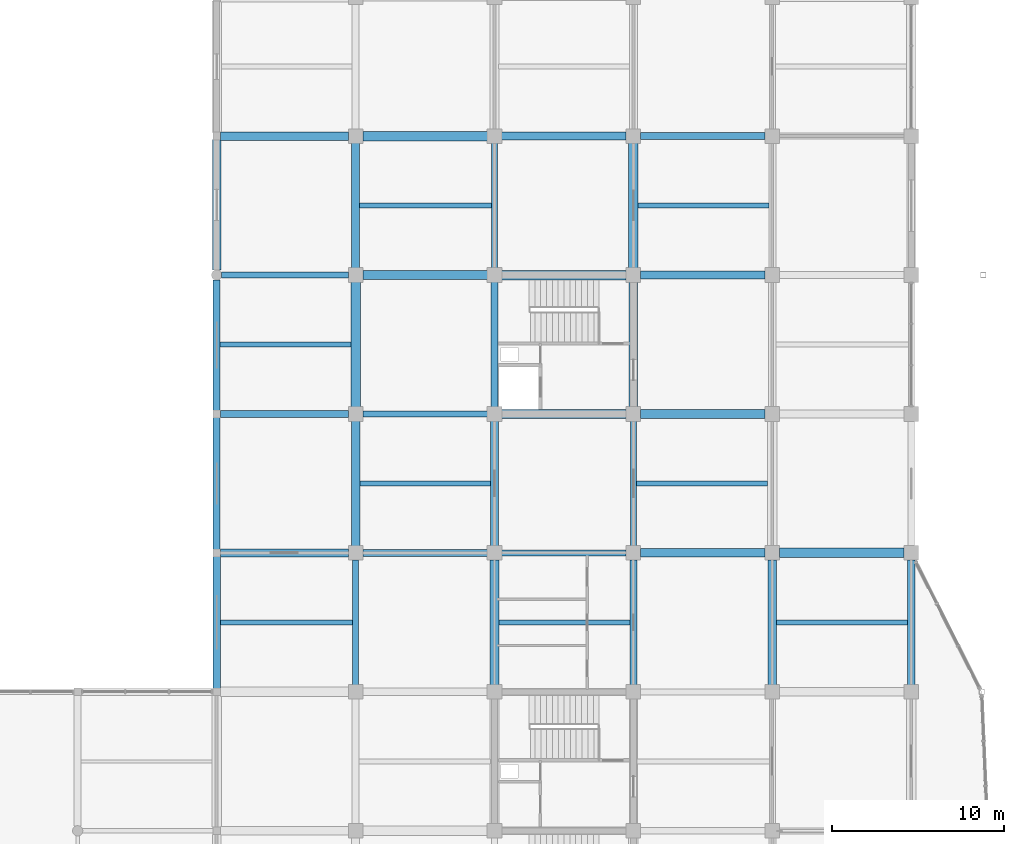
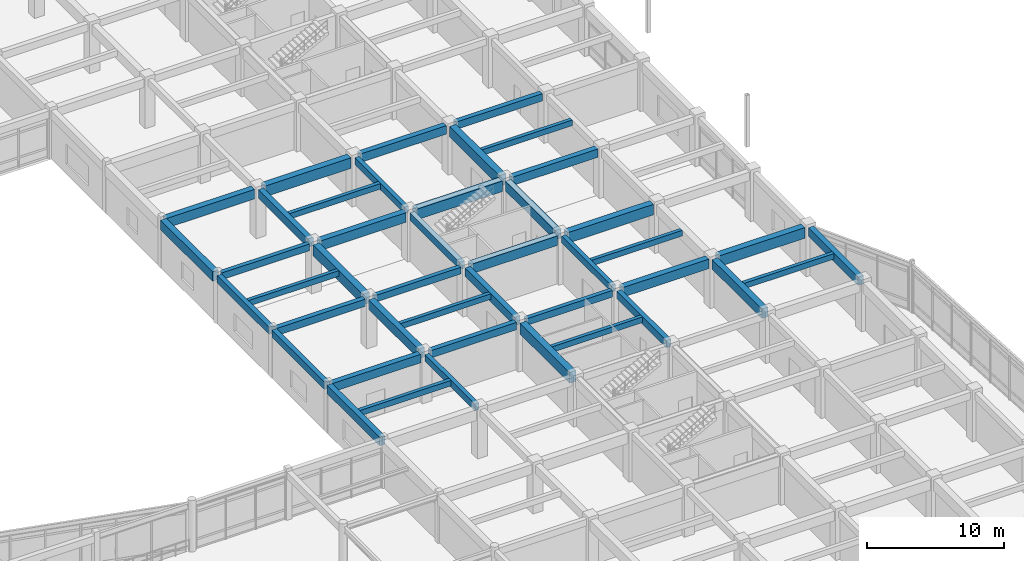
# One storey, part 37 of 93: 43 beams.
"""IFC4 building model written with IfcOpenShell, lengths in metres."""

from ifc_helpers import new_model, si_unit, direction, frame, origin, origin_2d, place, context, subcontext, project, spatial, rectangle, extrude, material, material_profile, profile_set, type_object, element, save


model = new_model("IFC4")

# Units and contexts
model_context = context("Model", 3, precision=1e-05, world=origin(), true_north=direction((0.0, 1.0)))
body_context = subcontext(model_context, "Body", "Model", "MODEL_VIEW")
ifc_project = project(units=[si_unit("LENGTHUNIT", "METRE"), si_unit("AREAUNIT", "SQUARE_METRE"), si_unit("VOLUMEUNIT", "CUBIC_METRE"), si_unit("PLANEANGLEUNIT", "RADIAN"), si_unit("MASSUNIT", "GRAM", prefix="KILO")], contexts=[model_context])

# Site, building, storey
site_placement = place(None, origin())
site = spatial("IfcSite", under=ifc_project, at=site_placement, CompositionType="ELEMENT")
building_placement = place(site_placement, origin())
building = spatial("IfcBuilding", under=site, at=building_placement, Name="Vaudrelin Polytechnic", CompositionType="ELEMENT")
storey_placement = place(building_placement, frame((0.0, 0.0, 5.10009765625)))
storey = spatial("IfcBuildingStorey", under=building, at=storey_placement, Name="L01", CompositionType="ELEMENT", Elevation=5.10009765625)

# Beams
ifc_material_1 = material(Name="Concrete 40 MPa", Category="concrete")
ifc_material_profile_1 = material_profile(ifc_material_1, rectangle(XDim=0.35009765625, YDim=0.60009765625, at=origin_2d()), Name="RC350x600")
ifc_profile_set_1 = profile_set([ifc_material_profile_1], Name="Concrete 40 MPa")
beam_type_1 = type_object("IfcBeamType", Name="BM-BM-RC3560", PredefinedType="BEAM", material=ifc_profile_set_1)
for number, where, z_axis, x_axis, name in (
    (1, (137.699951171875, 49.010009765625, 4.010009765625), (0.0, 1.0, 0.0), (-1.0, 0.0, 0.0), "L01 Y-beam 18-7"),
    (2, (145.800048828125, 73.31005859375, 4.010009765625), (0.0, 1.0, 0.0), (-1.0, 0.0, 0.0), "L01 Y-beam 19-10"),
):
    element("IfcBeam", number, at=place(storey_placement, frame(where, z_axis=z_axis, x_axis=x_axis)), inside=storey, type_object=beam_type_1, Name=name, PredefinedType="BEAM", context=body_context, shape_type="SweptSolid", body=[
        extrude(rectangle(XDim=0.35009765625, YDim=0.60009765625, at=origin_2d()), origin(), (0.0, 0.0, 1.0), 7.280029296875),
    ])
beam_1_placement = place(storey_placement, frame((153.89990234375, 57.110107421875, 4.010009765625), z_axis=(0.0, 1.0, 0.0), x_axis=(-1.0, 0.0, 0.0)))
element("IfcBeam", 3, at=beam_1_placement, inside=storey, type_object=beam_type_1, Name="L01 Y-beam 20-8", PredefinedType="BEAM", context=body_context, shape_type="SweptSolid", body=[
    extrude(rectangle(XDim=0.35009765625, YDim=0.60009765625, at=origin_2d()), origin(), (0.0, 0.0, 1.0), 7.27978515625),
])
beam_2_placement = place(storey_placement, frame((129.89599609375, 72.89990234375, 4.010009765625), z_axis=(1.0, 0.0, 0.0), x_axis=(0.0, 1.0, 0.0)))
element("IfcBeam", 4, at=beam_2_placement, inside=storey, type_object=beam_type_1, Name="L01 X-beam 17-10", PredefinedType="BEAM", context=body_context, shape_type="SweptSolid", body=[
    extrude(rectangle(XDim=0.35009765625, YDim=0.60009765625, at=origin_2d()), origin(), (0.0, 0.0, 1.0), 7.383056640625),
])
beam_3_placement = place(storey_placement, frame((138.12109375, 64.800048828125, 4.010009765625), z_axis=(1.0, 0.0, 0.0), x_axis=(0.0, 1.0, 0.0)))
element("IfcBeam", 5, at=beam_3_placement, inside=storey, type_object=beam_type_1, Name="L01 X-beam 18-9", PredefinedType="BEAM", context=body_context, shape_type="SweptSolid", body=[
    extrude(rectangle(XDim=0.35009765625, YDim=0.60009765625, at=origin_2d()), origin(), (0.0, 0.0, 1.0), 7.2578125),
])
beam_4_placement = place(storey_placement, frame((146.220947265625, 56.699951171875, 4.010009765625), z_axis=(1.0, 0.0, 0.0), x_axis=(0.0, 1.0, 0.0)))
element("IfcBeam", 6, at=beam_4_placement, inside=storey, type_object=beam_type_1, Name="L01 X-beam 19-8", PredefinedType="BEAM", context=body_context, shape_type="SweptSolid", body=[
    extrude(rectangle(XDim=0.35009765625, YDim=0.60009765625, at=origin_2d()), origin(), (0.0, 0.0, 1.0), 7.258056640625),
])
ifc_material_profile_2 = material_profile(ifc_material_1, rectangle(XDim=0.39990234375, YDim=0.64990234375, at=origin_2d()), Name="RC400x650")
ifc_profile_set_2 = profile_set([ifc_material_profile_2], Name="Concrete 40 MPa")
beam_type_2 = type_object("IfcBeamType", Name="BM-BM-RC4065", PredefinedType="BEAM", material=ifc_profile_set_2)
beam_5_placement = place(storey_placement, frame((129.60009765625, 56.909912109375, 3.98486328125), z_axis=(0.0, 1.0, 0.0), x_axis=(-1.0, 0.0, 0.0)))
element("IfcBeam", 7, at=beam_5_placement, inside=storey, type_object=beam_type_2, Name="L01 Y-beam 17-8", PredefinedType="BEAM", context=body_context, shape_type="SweptSolid", body=[
    extrude(rectangle(XDim=0.39990234375, YDim=0.64990234375, at=origin_2d()), origin(), (0.0, 0.0, 1.0), 7.68017578125),
])
for number, where, z_axis, x_axis, name in (
    (8, (145.800048828125, 65.2099609375, 3.98486328125), (0.0, 1.0, 0.0), (-1.0, 0.0, 0.0), "L01 Y-beam 19-9"),
    (9, (153.89990234375, 49.010009765625, 3.98486328125), (0.0, 1.0, 0.0), (-1.0, 0.0, 0.0), "L01 Y-beam 20-7"),
):
    element("IfcBeam", number, at=place(storey_placement, frame(where, z_axis=z_axis, x_axis=x_axis)), inside=storey, type_object=beam_type_2, Name=name, PredefinedType="BEAM", context=body_context, shape_type="SweptSolid", body=[
        extrude(rectangle(XDim=0.39990234375, YDim=0.64990234375, at=origin_2d()), origin(), (0.0, 0.0, 1.0), 7.280029296875),
    ])
beam_6_placement = place(storey_placement, frame((129.821044921875, 64.800048828125, 3.98486328125), z_axis=(1.0, 0.0, 0.0), x_axis=(0.0, 1.0, 0.0)))
element("IfcBeam", 10, at=beam_6_placement, inside=storey, type_object=beam_type_2, Name="L01 X-beam 17-9", PredefinedType="BEAM", context=body_context, shape_type="SweptSolid", body=[
    extrude(rectangle(XDim=0.39990234375, YDim=0.64990234375, at=origin_2d()), origin(), (0.0, 0.0, 1.0), 7.4580078125),
])
beam_7_placement = place(storey_placement, frame((138.12109375, 56.699951171875, 3.98486328125), z_axis=(1.0, 0.0, 0.0), x_axis=(0.0, 1.0, 0.0)))
element("IfcBeam", 11, at=beam_7_placement, inside=storey, type_object=beam_type_2, Name="L01 X-beam 18-8", PredefinedType="BEAM", context=body_context, shape_type="SweptSolid", body=[
    extrude(rectangle(XDim=0.39990234375, YDim=0.64990234375, at=origin_2d()), origin(), (0.0, 0.0, 1.0), 7.2578125),
])
beam_8_placement = place(storey_placement, frame((154.321044921875, 81.0, 3.98486328125), z_axis=(1.0, 0.0, 0.0), x_axis=(0.0, 1.0, 0.0)))
element("IfcBeam", 12, at=beam_8_placement, inside=storey, type_object=beam_type_2, Name="L01 X-beam 20-11", PredefinedType="BEAM", context=body_context, shape_type="SweptSolid", body=[
    extrude(rectangle(XDim=0.39990234375, YDim=0.64990234375, at=origin_2d()), origin(), (0.0, 0.0, 1.0), 7.258056640625),
])
ifc_material_profile_3 = material_profile(ifc_material_1, rectangle(XDim=0.449951171875, YDim=0.75, at=origin_2d()), Name="RC450x750")
ifc_profile_set_3 = profile_set([ifc_material_profile_3], Name="Concrete 40 MPa")
beam_type_3 = type_object("IfcBeamType", Name="BM-BM-RC4575", PredefinedType="BEAM", material=ifc_profile_set_3)
beam_9_placement = place(storey_placement, frame((129.60009765625, 48.81005859375, 3.934814453125), z_axis=(0.0, 1.0, 0.0), x_axis=(-1.0, 0.0, 0.0)))
element("IfcBeam", 13, at=beam_9_placement, inside=storey, type_object=beam_type_3, Name="L01 Y-beam 17-7", PredefinedType="BEAM", context=body_context, shape_type="SweptSolid", body=[
    extrude(rectangle(XDim=0.449951171875, YDim=0.75, at=origin_2d()), origin(), (0.0, 0.0, 1.0), 7.679931640625),
])
beam_10_placement = place(storey_placement, frame((137.699951171875, 73.31005859375, 3.934814453125), z_axis=(0.0, 1.0, 0.0), x_axis=(-1.0, 0.0, 0.0)))
element("IfcBeam", 14, at=beam_10_placement, inside=storey, type_object=beam_type_3, Name="L01 Y-beam 18-10", PredefinedType="BEAM", context=body_context, shape_type="SweptSolid", body=[
    extrude(rectangle(XDim=0.449951171875, YDim=0.75, at=origin_2d()), origin(), (0.0, 0.0, 1.0), 7.280029296875),
])
beam_11_placement = place(storey_placement, frame((145.800048828125, 57.110107421875, 3.934814453125), z_axis=(0.0, 1.0, 0.0), x_axis=(-1.0, 0.0, 0.0)))
element("IfcBeam", 15, at=beam_11_placement, inside=storey, type_object=beam_type_3, Name="L01 Y-beam 19-8", PredefinedType="BEAM", context=body_context, shape_type="SweptSolid", body=[
    extrude(rectangle(XDim=0.449951171875, YDim=0.75, at=origin_2d()), origin(), (0.0, 0.0, 1.0), 7.27978515625),
])
beam_12_placement = place(storey_placement, frame((170.10009765625, 49.010009765625, 3.934814453125), z_axis=(0.0, 1.0, 0.0), x_axis=(-1.0, 0.0, 0.0)))
element("IfcBeam", 16, at=beam_12_placement, inside=storey, type_object=beam_type_3, Name="L01 Y-beam 22-7", PredefinedType="BEAM", context=body_context, shape_type="SweptSolid", body=[
    extrude(rectangle(XDim=0.449951171875, YDim=0.75, at=origin_2d()), origin(), (0.0, 0.0, 1.0), 7.280029296875),
])
beam_13_placement = place(storey_placement, frame((129.821044921875, 56.699951171875, 3.934814453125), z_axis=(1.0, 0.0, 0.0), x_axis=(0.0, 1.0, 0.0)))
element("IfcBeam", 17, at=beam_13_placement, inside=storey, type_object=beam_type_3, Name="L01 X-beam 17-8", PredefinedType="BEAM", context=body_context, shape_type="SweptSolid", body=[
    extrude(rectangle(XDim=0.449951171875, YDim=0.75, at=origin_2d()), origin(), (0.0, 0.0, 1.0), 7.4580078125),
])
for number, where, z_axis, x_axis, name in (
    (18, (146.220947265625, 81.0, 3.934814453125), (1.0, 0.0, 0.0), (0.0, 1.0, 0.0), "L01 X-beam 19-11"),
    (19, (154.321044921875, 72.89990234375, 3.934814453125), (1.0, 0.0, 0.0), (0.0, 1.0, 0.0), "L01 X-beam 20-10"),
):
    element("IfcBeam", number, at=place(storey_placement, frame(where, z_axis=z_axis, x_axis=x_axis)), inside=storey, type_object=beam_type_3, Name=name, PredefinedType="BEAM", context=body_context, shape_type="SweptSolid", body=[
        extrude(rectangle(XDim=0.449951171875, YDim=0.75, at=origin_2d()), origin(), (0.0, 0.0, 1.0), 7.258056640625),
    ])
ifc_material_profile_4 = material_profile(ifc_material_1, rectangle(XDim=0.5, YDim=0.85009765625, at=origin_2d()), Name="RC500x850")
ifc_profile_set_4 = profile_set([ifc_material_profile_4], Name="Concrete 40 MPa")
beam_type_4 = type_object("IfcBeamType", Name="BM-BM-RC5085", PredefinedType="BEAM", material=ifc_profile_set_4)
beam_14_placement = place(storey_placement, frame((129.60009765625, 73.18505859375, 3.885009765625), z_axis=(0.0, 1.0, 0.0), x_axis=(-1.0, 0.0, 0.0)))
element("IfcBeam", 20, at=beam_14_placement, inside=storey, type_object=beam_type_4, Name="L01 Y-beam 17-10", PredefinedType="BEAM", context=body_context, shape_type="SweptSolid", body=[
    extrude(rectangle(XDim=0.5, YDim=0.85009765625, at=origin_2d()), origin(), (0.0, 0.0, 1.0), 7.60498046875),
])
beam_15_placement = place(storey_placement, frame((137.699951171875, 57.110107421875, 3.885009765625), z_axis=(0.0, 1.0, 0.0), x_axis=(-1.0, 0.0, 0.0)))
element("IfcBeam", 21, at=beam_15_placement, inside=storey, type_object=beam_type_4, Name="L01 Y-beam 18-8", PredefinedType="BEAM", context=body_context, shape_type="SweptSolid", body=[
    extrude(rectangle(XDim=0.5, YDim=0.85009765625, at=origin_2d()), origin(), (0.0, 0.0, 1.0), 7.27978515625),
])
for number, where, z_axis, x_axis, name in (
    (22, (153.89990234375, 65.2099609375, 3.885009765625), (0.0, 1.0, 0.0), (-1.0, 0.0, 0.0), "L01 Y-beam 20-9"),
    (23, (162.0, 49.010009765625, 3.885009765625), (0.0, 1.0, 0.0), (-1.0, 0.0, 0.0), "L01 Y-beam 21-7"),
):
    element("IfcBeam", number, at=place(storey_placement, frame(where, z_axis=z_axis, x_axis=x_axis)), inside=storey, type_object=beam_type_4, Name=name, PredefinedType="BEAM", context=body_context, shape_type="SweptSolid", body=[
        extrude(rectangle(XDim=0.5, YDim=0.85009765625, at=origin_2d()), origin(), (0.0, 0.0, 1.0), 7.280029296875),
    ])
beam_16_placement = place(storey_placement, frame((129.821044921875, 81.0, 3.885009765625), z_axis=(1.0, 0.0, 0.0), x_axis=(0.0, 1.0, 0.0)))
element("IfcBeam", 24, at=beam_16_placement, inside=storey, type_object=beam_type_4, Name="L01 X-beam 17-11", PredefinedType="BEAM", context=body_context, shape_type="SweptSolid", body=[
    extrude(rectangle(XDim=0.5, YDim=0.85009765625, at=origin_2d()), origin(), (0.0, 0.0, 1.0), 7.4580078125),
])
beam_17_placement = place(storey_placement, frame((138.12109375, 72.89990234375, 3.885009765625), z_axis=(1.0, 0.0, 0.0), x_axis=(0.0, 1.0, 0.0)))
element("IfcBeam", 25, at=beam_17_placement, inside=storey, type_object=beam_type_4, Name="L01 X-beam 18-10", PredefinedType="BEAM", context=body_context, shape_type="SweptSolid", body=[
    extrude(rectangle(XDim=0.5, YDim=0.85009765625, at=origin_2d()), origin(), (0.0, 0.0, 1.0), 7.2578125),
])
for number, where, z_axis, x_axis, name in (
    (26, (146.220947265625, 64.800048828125, 3.885009765625), (1.0, 0.0, 0.0), (0.0, 1.0, 0.0), "L01 X-beam 19-9"),
    (27, (154.321044921875, 56.699951171875, 3.885009765625), (1.0, 0.0, 0.0), (0.0, 1.0, 0.0), "L01 X-beam 20-8"),
):
    element("IfcBeam", number, at=place(storey_placement, frame(where, z_axis=z_axis, x_axis=x_axis)), inside=storey, type_object=beam_type_4, Name=name, PredefinedType="BEAM", context=body_context, shape_type="SweptSolid", body=[
        extrude(rectangle(XDim=0.5, YDim=0.85009765625, at=origin_2d()), origin(), (0.0, 0.0, 1.0), 7.258056640625),
    ])
ifc_material_2 = material(Name="Concrete 50 MPa", Category="concrete")
ifc_material_profile_5 = material_profile(ifc_material_2, rectangle(XDim=0.550048828125, YDim=0.949951171875, at=origin_2d()), Name="RC550x950")
ifc_profile_set_5 = profile_set([ifc_material_profile_5], Name="Concrete 50 MPa")
beam_type_5 = type_object("IfcBeamType", Name="BM-BM-RC5595", PredefinedType="BEAM", material=ifc_profile_set_5)
for number, where, z_axis, x_axis, name in (
    (28, (137.699951171875, 65.2099609375, 3.8349609375), (0.0, 1.0, 0.0), (-1.0, 0.0, 0.0), "L01 Y-beam 18-9"),
    (29, (145.800048828125, 49.010009765625, 3.8349609375), (0.0, 1.0, 0.0), (-1.0, 0.0, 0.0), "L01 Y-beam 19-7"),
    (30, (153.89990234375, 73.31005859375, 3.8349609375), (0.0, 1.0, 0.0), (-1.0, 0.0, 0.0), "L01 Y-beam 20-10"),
):
    element("IfcBeam", number, at=place(storey_placement, frame(where, z_axis=z_axis, x_axis=x_axis)), inside=storey, type_object=beam_type_5, Name=name, PredefinedType="BEAM", context=body_context, shape_type="SweptSolid", body=[
        extrude(rectangle(XDim=0.550048828125, YDim=0.949951171875, at=origin_2d()), origin(), (0.0, 0.0, 1.0), 7.280029296875),
    ])
beam_18_placement = place(storey_placement, frame((138.12109375, 81.0, 3.8349609375), z_axis=(1.0, 0.0, 0.0), x_axis=(0.0, 1.0, 0.0)))
element("IfcBeam", 31, at=beam_18_placement, inside=storey, type_object=beam_type_5, Name="L01 X-beam 18-11", PredefinedType="BEAM", context=body_context, shape_type="SweptSolid", body=[
    extrude(rectangle(XDim=0.550048828125, YDim=0.949951171875, at=origin_2d()), origin(), (0.0, 0.0, 1.0), 7.2578125),
])
for number, where, z_axis, x_axis, name in (
    (32, (146.220947265625, 72.89990234375, 3.8349609375), (1.0, 0.0, 0.0), (0.0, 1.0, 0.0), "L01 X-beam 19-10"),
    (33, (154.321044921875, 64.800048828125, 3.8349609375), (1.0, 0.0, 0.0), (0.0, 1.0, 0.0), "L01 X-beam 20-9"),
    (34, (162.4208984375, 56.699951171875, 3.8349609375), (1.0, 0.0, 0.0), (0.0, 1.0, 0.0), "L01 X-beam 21-8"),
):
    element("IfcBeam", number, at=place(storey_placement, frame(where, z_axis=z_axis, x_axis=x_axis)), inside=storey, type_object=beam_type_5, Name=name, PredefinedType="BEAM", context=body_context, shape_type="SweptSolid", body=[
        extrude(rectangle(XDim=0.550048828125, YDim=0.949951171875, at=origin_2d()), origin(), (0.0, 0.0, 1.0), 7.258056640625),
    ])
ifc_material_profile_6 = material_profile(ifc_material_1, rectangle(XDim=0.300048828125, YDim=0.5, at=origin_2d()), Name="RC300x500")
ifc_profile_set_6 = profile_set([ifc_material_profile_6], Name="Concrete 40 MPa")
beam_type_6 = type_object("IfcBeamType", Name="BM-JS-RC3050", PredefinedType="JOIST", material=ifc_profile_set_6)
beam_19_placement = place(storey_placement, frame((129.821044921875, 52.64990234375, 4.059814453125), z_axis=(1.0, 0.0, 0.0), x_axis=(0.0, 1.0, 0.0)))
element("IfcBeam", 35, at=beam_19_placement, inside=storey, type_object=beam_type_6, Name="L01 floor joist 17-7", PredefinedType="JOIST", context=body_context, shape_type="SweptSolid", body=[
    extrude(rectangle(XDim=0.300048828125, YDim=0.5, at=origin_2d()), origin(), (0.0, 0.0, 1.0), 7.7080078125),
])
for number, where, z_axis, x_axis, name in (
    (36, (129.7958984375, 68.85009765625, 4.059814453125), (1.0, 0.0, 0.0), (0.0, 1.0, 0.0), "L01 floor joist 17-9"),
    (37, (137.946044921875, 60.75, 4.059814453125), (1.0, 0.0, 0.0), (0.0, 1.0, 0.0), "L01 floor joist 18-8"),
):
    element("IfcBeam", number, at=place(storey_placement, frame(where, z_axis=z_axis, x_axis=x_axis)), inside=storey, type_object=beam_type_6, Name=name, PredefinedType="JOIST", context=body_context, shape_type="SweptSolid", body=[
        extrude(rectangle(XDim=0.300048828125, YDim=0.5, at=origin_2d()), origin(), (0.0, 0.0, 1.0), 7.633056640625),
    ])
beam_20_placement = place(storey_placement, frame((137.9208984375, 76.949951171875, 4.059814453125), z_axis=(1.0, 0.0, 0.0), x_axis=(0.0, 1.0, 0.0)))
element("IfcBeam", 38, at=beam_20_placement, inside=storey, type_object=beam_type_6, Name="L01 floor joist 18-10", PredefinedType="JOIST", context=body_context, shape_type="SweptSolid", body=[
    extrude(rectangle(XDim=0.300048828125, YDim=0.5, at=origin_2d()), origin(), (0.0, 0.0, 1.0), 7.7080078125),
])
beam_21_placement = place(storey_placement, frame((146.071044921875, 52.64990234375, 4.059814453125), z_axis=(1.0, 0.0, 0.0), x_axis=(0.0, 1.0, 0.0)))
element("IfcBeam", 39, at=beam_21_placement, inside=storey, type_object=beam_type_6, Name="L01 floor joist 19-7", PredefinedType="JOIST", context=body_context, shape_type="SweptSolid", body=[
    extrude(rectangle(XDim=0.300048828125, YDim=0.5, at=origin_2d()), origin(), (0.0, 0.0, 1.0), 7.633056640625),
])
beam_22_placement = place(storey_placement, frame((154.071044921875, 60.75, 4.059814453125), z_axis=(1.0, 0.0, 0.0), x_axis=(0.0, 1.0, 0.0)))
element("IfcBeam", 40, at=beam_22_placement, inside=storey, type_object=beam_type_6, Name="L01 floor joist 20-8", PredefinedType="JOIST", context=body_context, shape_type="SweptSolid", body=[
    extrude(rectangle(XDim=0.300048828125, YDim=0.5, at=origin_2d()), origin(), (0.0, 0.0, 1.0), 7.657958984375),
])
beam_23_placement = place(storey_placement, frame((154.1708984375, 76.949951171875, 4.059814453125), z_axis=(1.0, 0.0, 0.0), x_axis=(0.0, 1.0, 0.0)))
element("IfcBeam", 41, at=beam_23_placement, inside=storey, type_object=beam_type_6, Name="L01 floor joist 20-10", PredefinedType="JOIST", context=body_context, shape_type="SweptSolid", body=[
    extrude(rectangle(XDim=0.300048828125, YDim=0.5, at=origin_2d()), origin(), (0.0, 0.0, 1.0), 7.633056640625),
])
beam_24_placement = place(storey_placement, frame((162.24609375, 52.64990234375, 4.059814453125), z_axis=(1.0, 0.0, 0.0), x_axis=(0.0, 1.0, 0.0)))
element("IfcBeam", 42, at=beam_24_placement, inside=storey, type_object=beam_type_6, Name="L01 floor joist 21-7", PredefinedType="JOIST", context=body_context, shape_type="SweptSolid", body=[
    extrude(rectangle(XDim=0.300048828125, YDim=0.5, at=origin_2d()), origin(), (0.0, 0.0, 1.0), 7.6328125),
])
ifc_material_profile_7 = material_profile(ifc_material_1, rectangle(XDim=0.39990234375, YDim=0.64990234375, at=origin_2d()), Name="RC400x650")
ifc_profile_set_7 = profile_set([ifc_material_profile_7], Name="Concrete 40 MPa")
beam_type_7 = type_object("IfcBeamType", Name="BM-SP-RC4065", PredefinedType="SPANDREL", material=ifc_profile_set_7)
beam_25_placement = place(storey_placement, frame((129.60009765625, 65.010009765625, 3.98486328125), z_axis=(0.0, 1.0, 0.0), x_axis=(-1.0, 0.0, 0.0)))
element("IfcBeam", 43, at=beam_25_placement, inside=storey, type_object=beam_type_7, Name="L01 Y-beam 17-9", PredefinedType="SPANDREL", context=body_context, shape_type="SweptSolid", body=[
    extrude(rectangle(XDim=0.39990234375, YDim=0.64990234375, at=origin_2d()), origin(), (0.0, 0.0, 1.0), 7.60498046875),
])

save(model, "model.ifc")
